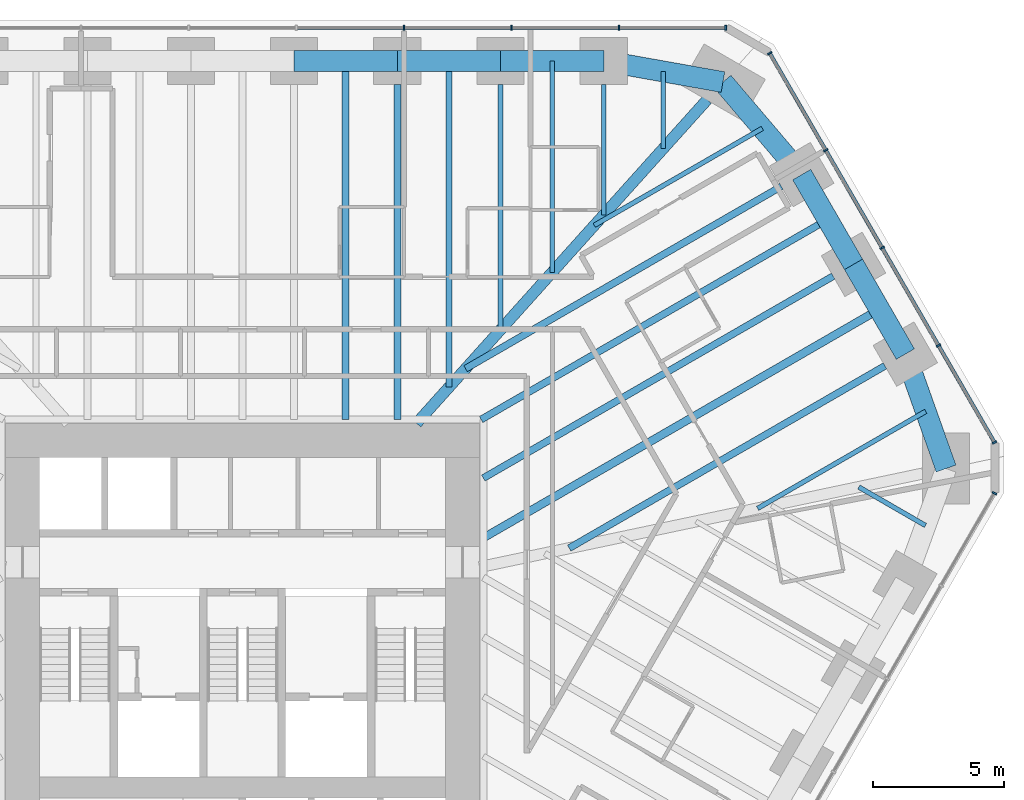
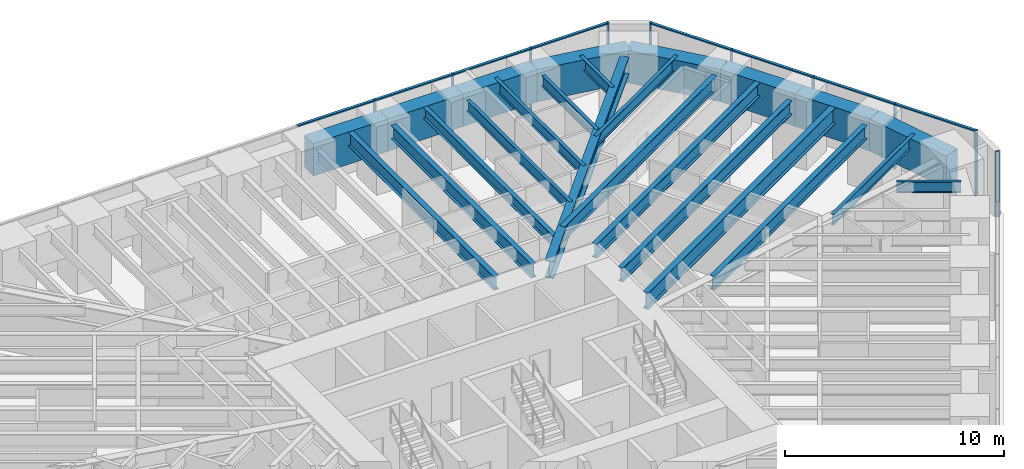
# One storey, part 9 of 17: 24 beams, 18 members, 3 elements without a shape of their own.
"""IFC4 building model written with IfcOpenShell, lengths in metres."""

from ifc_helpers import new_model, si_unit, direction, frame, origin, origin_2d, place, context, subcontext, project, spatial, rectangle, i_section, extrude, material, material_profile, profile_set, type_object, element, aggregate, save


model = new_model("IFC4")

# Units and contexts
model_context = context("Model", 3, precision=1e-05, world=origin(), true_north=direction((0.0, 1.0)))
body_context = subcontext(model_context, "Body", "Model", "MODEL_VIEW")
ifc_project = project(units=[si_unit("LENGTHUNIT", "METRE"), si_unit("AREAUNIT", "SQUARE_METRE"), si_unit("VOLUMEUNIT", "CUBIC_METRE"), si_unit("PLANEANGLEUNIT", "RADIAN"), si_unit("MASSUNIT", "GRAM", prefix="KILO")], contexts=[model_context])

# Site, building, storey
site_placement = place(None, origin())
site = spatial("IfcSite", under=ifc_project, at=site_placement, CompositionType="ELEMENT")
building_placement = place(site_placement, origin())
building = spatial("IfcBuilding", under=site, at=building_placement, Name="Sandreach Pilgrim Tower", CompositionType="ELEMENT")
storey_placement = place(building_placement, frame((0.0, 0.0, 112.0)))
storey = spatial("IfcBuildingStorey", under=building, at=storey_placement, Name="L27", CompositionType="ELEMENT", Elevation=112.0)

# Curtain wall, members
ifc_material_1 = material(Name="Aluminium framed curtain wall", Category="aluminium")
curtain_wall_type = type_object("IfcCurtainWallType", Name="Hotel tower curtain wall", PredefinedType="NOTDEFINED", material=ifc_material_1)
curtain_wall_1_placement = place(storey_placement, origin())
curtain_wall_1 = element("IfcCurtainWall", 1, at=curtain_wall_1_placement, inside=storey, type_object=curtain_wall_type, Name="CW-2 L27 N", PredefinedType="NOTDEFINED")
ifc_material_2 = material(Name="Aluminium extrusion", Category="aluminium")
ifc_material_profile_1 = material_profile(ifc_material_2, rectangle(XDim=0.06494140625, YDim=0.179931640625, at=origin_2d()), Name="CW-2M 65X180")
ifc_profile_set_1 = profile_set([ifc_material_profile_1], Name="Aluminium extrusion")
member_type_1 = type_object("IfcMemberType", Name="CW-2 mullion", PredefinedType="MULLION", material=ifc_profile_set_1)
member_1_placement = place(storey_placement, frame((6.160400390625, 22.493896484375, 0.0), z_axis=(0.0, 0.0, 1.0), x_axis=(1.0, 0.0, 0.0)))
member_1 = element("IfcMember", 2, at=member_1_placement, type_object=member_type_1, Name="CW-2 mullion 7", PredefinedType="MULLION", context=body_context, shape_type="SweptSolid", body=[
    extrude(rectangle(XDim=0.06494140625, YDim=0.179931640625, at=origin_2d()), origin(), (0.0, 0.0, 1.0), 3.639892578125),
])
member_2_placement = place(storey_placement, frame((10.267333984375, 22.493896484375, 0.0), z_axis=(0.0, 0.0, 1.0), x_axis=(1.0, 0.0, 0.0)))
member_2 = element("IfcMember", 3, at=member_2_placement, type_object=member_type_1, Name="CW-2 mullion 8", PredefinedType="MULLION", context=body_context, shape_type="SweptSolid", body=[
    extrude(rectangle(XDim=0.06494140625, YDim=0.179931640625, at=origin_2d()), origin(), (0.0, 0.0, 1.0), 3.639892578125),
])
member_3_placement = place(storey_placement, frame((14.37451171875, 22.493896484375, 0.0), z_axis=(0.0, 0.0, 1.0), x_axis=(1.0, 0.0, 0.0)))
member_3 = element("IfcMember", 4, at=member_3_placement, type_object=member_type_1, Name="CW-2 mullion 9", PredefinedType="MULLION", context=body_context, shape_type="SweptSolid", body=[
    extrude(rectangle(XDim=0.06494140625, YDim=0.179931640625, at=origin_2d()), origin(), (0.0, 0.0, 1.0), 3.639892578125),
])
member_4_placement = place(storey_placement, frame((18.448974609375, 22.493896484375, 0.0), z_axis=(0.0, 0.0, 1.0), x_axis=(1.0, 0.0, 0.0)))
member_4 = element("IfcMember", 5, at=member_4_placement, type_object=member_type_1, Name="CW-2 mullion 10", PredefinedType="MULLION", context=body_context, shape_type="SweptSolid", body=[
    extrude(rectangle(XDim=0.06494140625, YDim=0.179931640625, at=origin_2d()), origin(), (0.0, 0.0, 1.0), 3.639892578125),
])

curtain_wall_2_placement = place(storey_placement, origin())
curtain_wall_2 = element("IfcCurtainWall", 6, at=curtain_wall_2_placement, inside=storey, type_object=curtain_wall_type, Name="CW-2 L27 NE", PredefinedType="NOTDEFINED")
member_5_placement = place(storey_placement, frame((20.125732421875, 21.525634765625, 0.0), z_axis=(0.0, 0.0, 1.0), x_axis=(0.5, -0.866025403784, 0.0)))
member_5 = element("IfcMember", 7, at=member_5_placement, type_object=member_type_1, Name="CW-2 mullion 1", PredefinedType="MULLION", context=body_context, shape_type="SweptSolid", body=[
    extrude(rectangle(XDim=0.06494140625, YDim=0.179931640625, at=origin_2d()), origin(), (0.0, 0.0, 1.0), 3.639892578125),
])
member_6_placement = place(storey_placement, frame((22.262451171875, 17.824951171875, 0.0), z_axis=(0.0, 0.0, 1.0), x_axis=(0.5, -0.866025403784, 0.0)))
member_6 = element("IfcMember", 8, at=member_6_placement, type_object=member_type_1, Name="CW-2 mullion 2", PredefinedType="MULLION", context=body_context, shape_type="SweptSolid", body=[
    extrude(rectangle(XDim=0.06494140625, YDim=0.179931640625, at=origin_2d()), origin(), (0.0, 0.0, 1.0), 3.639892578125),
])
member_7_placement = place(storey_placement, frame((24.415283203125, 14.09619140625, 0.0), z_axis=(0.0, 0.0, 1.0), x_axis=(0.5, -0.866025403784, 0.0)))
member_7 = element("IfcMember", 9, at=member_7_placement, type_object=member_type_1, Name="CW-2 mullion 3", PredefinedType="MULLION", context=body_context, shape_type="SweptSolid", body=[
    extrude(rectangle(XDim=0.06494140625, YDim=0.179931640625, at=origin_2d()), origin(), (0.0, 0.0, 1.0), 3.639892578125),
])
member_8_placement = place(storey_placement, frame((26.568115234375, 10.3671875, 0.0), z_axis=(0.0, 0.0, 1.0), x_axis=(0.5, -0.866025403784, 0.0)))
member_8 = element("IfcMember", 10, at=member_8_placement, type_object=member_type_1, Name="CW-2 mullion 4", PredefinedType="MULLION", context=body_context, shape_type="SweptSolid", body=[
    extrude(rectangle(XDim=0.06494140625, YDim=0.179931640625, at=origin_2d()), origin(), (0.0, 0.0, 1.0), 3.639892578125),
])
member_9_placement = place(storey_placement, frame((28.70458984375, 6.66650390625, 0.0), z_axis=(0.0, 0.0, 1.0), x_axis=(0.5, -0.866025403784, 0.0)))
member_9 = element("IfcMember", 11, at=member_9_placement, type_object=member_type_1, Name="CW-2 mullion 5", PredefinedType="MULLION", context=body_context, shape_type="SweptSolid", body=[
    extrude(rectangle(XDim=0.06494140625, YDim=0.179931640625, at=origin_2d()), origin(), (0.0, 0.0, 1.0), 3.639892578125),
])

# Curtain wall, member
curtain_wall_3_placement = place(storey_placement, origin())
curtain_wall_3 = element("IfcCurtainWall", 12, at=curtain_wall_3_placement, inside=storey, type_object=curtain_wall_type, Name="CW-2 L27 SE", PredefinedType="NOTDEFINED")
member_10_placement = place(storey_placement, frame((28.70458984375, 4.730224609375, 0.0), z_axis=(0.0, 0.0, 1.0), x_axis=(-0.5, -0.866025403784, 0.0)))
member_10 = element("IfcMember", 13, at=member_10_placement, type_object=member_type_1, Name="CW-2 mullion 1", PredefinedType="MULLION", context=body_context, shape_type="SweptSolid", body=[
    extrude(rectangle(XDim=0.06494140625, YDim=0.179931640625, at=origin_2d()), origin(), (0.0, 0.0, 1.0), 3.639892578125),
])
aggregate(curtain_wall_3, [member_10])

# Member
ifc_material_3 = material(Name="Aluminium extrusion", Category="aluminium")
ifc_material_profile_2 = material_profile(ifc_material_3, rectangle(XDim=0.139892578125, YDim=0.070068359375, at=origin_2d()), Name="CW-2T 140X70")
ifc_profile_set_2 = profile_set([ifc_material_profile_2], Name="Aluminium extrusion")
member_type_2 = type_object("IfcMemberType", Name="CW-2 transom", PredefinedType="USERDEFINED", material=ifc_profile_set_2)
member_11_placement = place(storey_placement, frame((2.0859375, 22.493896484375, 3.60498046875), z_axis=(1.0, 0.0, 0.0), x_axis=(0.0, 1.0, 0.0)))
member_11 = element("IfcMember", 14, at=member_11_placement, type_object=member_type_2, Name="CW-2 head transom 6", ObjectType="TRANSOM", PredefinedType="USERDEFINED", context=body_context, shape_type="SweptSolid", body=[
    extrude(rectangle(XDim=0.139892578125, YDim=0.070068359375, at=origin_2d()), origin(), (0.0, 0.0, 1.0), 4.0419921875),
])

member_12_placement = place(storey_placement, frame((6.19287109375, 22.493896484375, 3.60498046875), z_axis=(1.0, 0.0, 0.0), x_axis=(0.0, 1.0, 0.0)))
member_12 = element("IfcMember", 15, at=member_12_placement, type_object=member_type_2, Name="CW-2 head transom 7", ObjectType="TRANSOM", PredefinedType="USERDEFINED", context=body_context, shape_type="SweptSolid", body=[
    extrude(rectangle(XDim=0.139892578125, YDim=0.070068359375, at=origin_2d()), origin(), (0.0, 0.0, 1.0), 4.0419921875),
])

member_13_placement = place(storey_placement, frame((10.300048828125, 22.493896484375, 3.60498046875), z_axis=(1.0, 0.0, 0.0), x_axis=(0.0, 1.0, 0.0)))
member_13 = element("IfcMember", 16, at=member_13_placement, type_object=member_type_2, Name="CW-2 head transom 8", ObjectType="TRANSOM", PredefinedType="USERDEFINED", context=body_context, shape_type="SweptSolid", body=[
    extrude(rectangle(XDim=0.139892578125, YDim=0.070068359375, at=origin_2d()), origin(), (0.0, 0.0, 1.0), 4.041748046875),
])

member_14_placement = place(storey_placement, frame((14.406982421875, 22.493896484375, 3.60498046875), z_axis=(1.0, 0.0, 0.0), x_axis=(0.0, 1.0, 0.0)))
member_14 = element("IfcMember", 17, at=member_14_placement, type_object=member_type_2, Name="CW-2 head transom 9", ObjectType="TRANSOM", PredefinedType="USERDEFINED", context=body_context, shape_type="SweptSolid", body=[
    extrude(rectangle(XDim=0.139892578125, YDim=0.070068359375, at=origin_2d()), origin(), (0.0, 0.0, 1.0), 4.00927734375),
])

aggregate(curtain_wall_1, [member_1, member_2, member_3, member_4, member_11, member_12, member_13, member_14])

member_15_placement = place(storey_placement, frame((20.14208984375, 21.49755859375, 3.60498046875), z_axis=(0.49997020258, -0.86604260665, 0.0), x_axis=(0.86604260665, 0.49997020258, 0.0)))
member_15 = element("IfcMember", 18, at=member_15_placement, type_object=member_type_2, Name="CW-2 head transom 1", ObjectType="TRANSOM", PredefinedType="USERDEFINED", context=body_context, shape_type="SweptSolid", body=[
    extrude(rectangle(XDim=0.139892578125, YDim=0.070068359375, at=origin_2d()), origin(), (0.0, 0.0, 1.0), 4.208251953125),
])

member_16_placement = place(storey_placement, frame((22.278564453125, 17.796875, 3.60498046875), z_axis=(0.499996541496, -0.866027400544, 0.0), x_axis=(0.866027400544, 0.499996541496, 0.0)))
member_16 = element("IfcMember", 19, at=member_16_placement, type_object=member_type_2, Name="CW-2 head transom 2", ObjectType="TRANSOM", PredefinedType="USERDEFINED", context=body_context, shape_type="SweptSolid", body=[
    extrude(rectangle(XDim=0.139892578125, YDim=0.070068359375, at=origin_2d()), origin(), (0.0, 0.0, 1.0), 4.24072265625),
])

member_17_placement = place(storey_placement, frame((24.431396484375, 14.06787109375, 3.60498046875), z_axis=(0.500021471012, -0.866013007135, 0.0), x_axis=(0.866013007135, 0.500021471012, 0.0)))
member_17 = element("IfcMember", 20, at=member_17_placement, type_object=member_type_2, Name="CW-2 head transom 3", ObjectType="TRANSOM", PredefinedType="USERDEFINED", context=body_context, shape_type="SweptSolid", body=[
    extrude(rectangle(XDim=0.139892578125, YDim=0.070068359375, at=origin_2d()), origin(), (0.0, 0.0, 1.0), 4.240478515625),
])

member_18_placement = place(storey_placement, frame((26.584228515625, 10.339111328125, 3.60498046875), z_axis=(0.500038835258, -0.866002981077, 0.0), x_axis=(0.866002981077, 0.500038835258, 0.0)))
member_18 = element("IfcMember", 21, at=member_18_placement, type_object=member_type_2, Name="CW-2 head transom 4", ObjectType="TRANSOM", PredefinedType="USERDEFINED", context=body_context, shape_type="SweptSolid", body=[
    extrude(rectangle(XDim=0.139892578125, YDim=0.070068359375, at=origin_2d()), origin(), (0.0, 0.0, 1.0), 4.208251953125),
])

aggregate(curtain_wall_2, [member_5, member_6, member_7, member_8, member_9, member_15, member_16, member_17, member_18])

# Beams
ifc_material_4 = material(Name="Steel ASTM A992 Grade 50", Category="steel")
ifc_material_profile_3 = material_profile(ifc_material_4, i_section(OverallWidth=0.424072265625, OverallDepth=0.965087890625, WebThickness=0.028564453125, FlangeThickness=0.051025390625, at=origin_2d()), Name="W36X361")
ifc_profile_set_3 = profile_set([ifc_material_profile_3], Name="Steel ASTM A992 Grade 50")
beam_type_1 = type_object("IfcBeamType", Name="Corner girder W36X361", PredefinedType="BEAM", material=ifc_profile_set_3)
beam_1_placement = place(storey_placement, frame((17.738037109375, 19.754150390625, 3.157470703125), z_axis=(-0.66811374471, -0.74405915365, 0.0), x_axis=(0.74405915365, -0.66811374471, 0.0)))
element("IfcBeam", 22, at=beam_1_placement, inside=storey, type_object=beam_type_1, Name="BM L27 CG09", PredefinedType="BEAM", context=body_context, shape_type="SweptSolid", body=[
    extrude(i_section(OverallWidth=0.424072265625, OverallDepth=0.965087890625, WebThickness=0.028564453125, FlangeThickness=0.051025390625, at=origin_2d()), origin(), (0.0, 0.0, 1.0), 16.603759765625),
])
ifc_material_5 = material(Name="Steel ASTM A992 Grade 50", Category="steel")
ifc_material_profile_4 = material_profile(ifc_material_5, i_section(OverallWidth=0.1787109375, OverallDepth=0.60205078125, WebThickness=0.010986328125, FlangeThickness=0.014892578125, at=origin_2d()), Name="W24X62")
ifc_profile_set_4 = profile_set([ifc_material_profile_4], Name="Steel ASTM A992 Grade 50")
beam_type_2 = type_object("IfcBeamType", Name="Floor beam W24X62", PredefinedType="BEAM", material=ifc_profile_set_4)
beam_2_placement = place(storey_placement, frame((9.849853515625, 20.333740234375, 3.339111328125), z_axis=(0.0, -1.0, 0.0), x_axis=(1.0, 0.0, 0.0)))
element("IfcBeam", 23, at=beam_2_placement, inside=storey, type_object=beam_type_2, Name="BM L27 F07", PredefinedType="BEAM", context=body_context, shape_type="SweptSolid", body=[
    extrude(i_section(OverallWidth=0.1787109375, OverallDepth=0.60205078125, WebThickness=0.010986328125, FlangeThickness=0.014892578125, at=origin_2d()), origin(), (0.0, 0.0, 1.0), 9.3642578125),
])
beam_3_placement = place(storey_placement, frame((13.789794921875, 20.333740234375, 3.339111328125), z_axis=(0.0, -1.0, 0.0), x_axis=(1.0, 0.0, 0.0)))
element("IfcBeam", 24, at=beam_3_placement, inside=storey, type_object=beam_type_2, Name="BM L27 F08", PredefinedType="BEAM", context=body_context, shape_type="SweptSolid", body=[
    extrude(i_section(OverallWidth=0.1787109375, OverallDepth=0.60205078125, WebThickness=0.010986328125, FlangeThickness=0.014892578125, at=origin_2d()), origin(), (0.0, 0.0, 1.0), 4.9765625),
])
beam_4_placement = place(storey_placement, frame((11.81982421875, 21.23388671875, 3.339111328125), z_axis=(0.0, -1.0, 0.0), x_axis=(1.0, 0.0, 0.0)))
element("IfcBeam", 25, at=beam_4_placement, inside=storey, type_object=beam_type_2, Name="BM L27 FM07", PredefinedType="BEAM", context=body_context, shape_type="SweptSolid", body=[
    extrude(i_section(OverallWidth=0.1787109375, OverallDepth=0.60205078125, WebThickness=0.010986328125, FlangeThickness=0.014892578125, at=origin_2d()), origin(), (0.0, 0.0, 1.0), 8.070556640625),
])
beam_5_placement = place(storey_placement, frame((16.064697265625, 20.828857421875, 3.339111328125), z_axis=(0.0, -1.0, 0.0), x_axis=(1.0, 0.0, 0.0)))
element("IfcBeam", 26, at=beam_5_placement, inside=storey, type_object=beam_type_2, Name="BM L27 FM08", PredefinedType="BEAM", context=body_context, shape_type="SweptSolid", body=[
    extrude(i_section(OverallWidth=0.1787109375, OverallDepth=0.60205078125, WebThickness=0.010986328125, FlangeThickness=0.014892578125, at=origin_2d()), origin(), (0.0, 0.0, 1.0), 2.938232421875),
])
for number, where, z_axis, x_axis, name in (
    (27, (19.8427734375, 18.65771484375, 3.339111328125), (-0.866025875064, -0.499999183719, 0.0), (0.499999183719, -0.866025875064, 0.0), "BM L27 FM09"),
    (28, (26.079345703125, 7.855712890625, 3.339111328125), (-0.866025875064, -0.499999183719, 0.0), (0.499999183719, -0.866025875064, 0.0), "BM L27 FM12"),
):
    element("IfcBeam", number, at=place(storey_placement, frame(where, z_axis=z_axis, x_axis=x_axis)), inside=storey, type_object=beam_type_2, Name=name, PredefinedType="BEAM", context=body_context, shape_type="SweptSolid", body=[
        extrude(i_section(OverallWidth=0.1787109375, OverallDepth=0.60205078125, WebThickness=0.010986328125, FlangeThickness=0.014892578125, at=origin_2d()), origin(), (0.0, 0.0, 1.0), 7.40771484375),
    ])
beam_6_placement = place(storey_placement, frame((26.070556640625, 3.498046875, 3.339111328125), z_axis=(-0.866051374412, 0.499955014855, 0.0), x_axis=(-0.499955014855, -0.866051374412, 0.0)))
element("IfcBeam", 29, at=beam_6_placement, inside=storey, type_object=beam_type_2, Name="BM L27 FM13", PredefinedType="BEAM", context=body_context, shape_type="SweptSolid", body=[
    extrude(i_section(OverallWidth=0.1787109375, OverallDepth=0.60205078125, WebThickness=0.010986328125, FlangeThickness=0.014892578125, at=origin_2d()), origin(), (0.0, 0.0, 1.0), 2.938232421875),
])
ifc_material_6 = material(Name="Steel ASTM A992 Grade 50", Category="steel")
ifc_material_profile_5 = material_profile(ifc_material_6, i_section(OverallWidth=0.23046875, OverallDepth=0.6171875, WebThickness=0.01318359375, FlangeThickness=0.022216796875, at=origin_2d()), Name="W24X94")
ifc_profile_set_5 = profile_set([ifc_material_profile_5], Name="Steel ASTM A992 Grade 50")
beam_type_3 = type_object("IfcBeamType", Name="Floor beam W24X94", PredefinedType="BEAM", material=ifc_profile_set_5)
beam_7_placement = place(storey_placement, frame((7.8798828125, 21.23388671875, 3.331298828125), z_axis=(0.0, -1.0, 0.0), x_axis=(1.0, 0.0, 0.0)))
element("IfcBeam", 30, at=beam_7_placement, inside=storey, type_object=beam_type_3, Name="BM L27 FM06", PredefinedType="BEAM", context=body_context, shape_type="SweptSolid", body=[
    extrude(i_section(OverallWidth=0.23046875, OverallDepth=0.6171875, WebThickness=0.01318359375, FlangeThickness=0.022216796875, at=origin_2d()), origin(), (0.0, 0.0, 1.0), 12.458251953125),
])
ifc_material_7 = material(Name="Steel ASTM A992 Grade 50", Category="steel")
ifc_material_profile_6 = material_profile(ifc_material_7, i_section(OverallWidth=0.2666015625, OverallDepth=0.761962890625, WebThickness=0.014404296875, FlangeThickness=0.021484375, at=origin_2d()), Name="W30X116")
ifc_profile_set_6 = profile_set([ifc_material_profile_6], Name="Steel ASTM A992 Grade 50")
beam_type_4 = type_object("IfcBeamType", Name="Floor beam W30X116", PredefinedType="BEAM", material=ifc_profile_set_6)
beam_8_placement = place(storey_placement, frame((5.909912109375, 20.333740234375, 3.259033203125), z_axis=(0.0, -1.0, 0.0), x_axis=(1.0, 0.0, 0.0)))
element("IfcBeam", 31, at=beam_8_placement, inside=storey, type_object=beam_type_4, Name="BM L27 F06", PredefinedType="BEAM", context=body_context, shape_type="SweptSolid", body=[
    extrude(i_section(OverallWidth=0.2666015625, OverallDepth=0.761962890625, WebThickness=0.014404296875, FlangeThickness=0.021484375, at=origin_2d()), origin(), (0.0, 0.0, 1.0), 12.790283203125),
])
beam_9_placement = place(storey_placement, frame((20.56689453125, 16.44140625, 3.259033203125), z_axis=(-0.866022263426, -0.500005439221, 0.0), x_axis=(0.500005439221, -0.866022263426, 0.0)))
element("IfcBeam", 32, at=beam_9_placement, inside=storey, type_object=beam_type_4, Name="BM L27 F10", PredefinedType="BEAM", context=body_context, shape_type="SweptSolid", body=[
    extrude(i_section(OverallWidth=0.2666015625, OverallDepth=0.761962890625, WebThickness=0.014404296875, FlangeThickness=0.021484375, at=origin_2d()), origin(), (0.0, 0.0, 1.0), 13.915283203125),
])
beam_10_placement = place(storey_placement, frame((24.522216796875, 9.5908203125, 3.259033203125), z_axis=(-0.866026649588, -0.499997842199, 0.0), x_axis=(0.499997842199, -0.866026649588, 0.0)))
element("IfcBeam", 33, at=beam_10_placement, inside=storey, type_object=beam_type_4, Name="BM L27 F12", PredefinedType="BEAM", context=body_context, shape_type="SweptSolid", body=[
    extrude(i_section(OverallWidth=0.2666015625, OverallDepth=0.761962890625, WebThickness=0.014404296875, FlangeThickness=0.021484375, at=origin_2d()), origin(), (0.0, 0.0, 1.0), 13.91552734375),
])
beam_11_placement = place(storey_placement, frame((3.93994140625, 21.23388671875, 3.259033203125), z_axis=(0.0, -1.0, 0.0), x_axis=(1.0, 0.0, 0.0)))
element("IfcBeam", 34, at=beam_11_placement, inside=storey, type_object=beam_type_4, Name="BM L27 FM05", PredefinedType="BEAM", context=body_context, shape_type="SweptSolid", body=[
    extrude(i_section(OverallWidth=0.2666015625, OverallDepth=0.761962890625, WebThickness=0.014404296875, FlangeThickness=0.021484375, at=origin_2d()), origin(), (0.0, 0.0, 1.0), 13.6904296875),
])
ifc_material_8 = material(Name="Steel ASTM A992 Grade 50", Category="steel")
ifc_material_profile_7 = material_profile(ifc_material_8, i_section(OverallWidth=0.2666015625, OverallDepth=0.77978515625, WebThickness=0.0166015625, FlangeThickness=0.030029296875, at=origin_2d()), Name="W30X148")
ifc_profile_set_7 = profile_set([ifc_material_profile_7], Name="Steel ASTM A992 Grade 50")
beam_type_5 = type_object("IfcBeamType", Name="Floor beam W30X148", PredefinedType="BEAM", material=ifc_profile_set_7)
beam_12_placement = place(storey_placement, frame((22.544677734375, 13.01611328125, 3.25), z_axis=(-0.866029203842, -0.49999341805, 0.0), x_axis=(0.49999341805, -0.866029203842, 0.0)))
element("IfcBeam", 35, at=beam_12_placement, inside=storey, type_object=beam_type_5, Name="BM L27 F11", PredefinedType="BEAM", context=body_context, shape_type="SweptSolid", body=[
    extrude(i_section(OverallWidth=0.2666015625, OverallDepth=0.77978515625, WebThickness=0.0166015625, FlangeThickness=0.030029296875, at=origin_2d()), origin(), (0.0, 0.0, 1.0), 15.416748046875),
])
beam_13_placement = place(storey_placement, frame((22.335205078125, 15.1787109375, 3.25), z_axis=(-0.866028773314, -0.499994163758, 0.0), x_axis=(0.499994163758, -0.866028773314, 0.0)))
element("IfcBeam", 36, at=beam_13_placement, inside=storey, type_object=beam_type_5, Name="BM L27 FM10", PredefinedType="BEAM", context=body_context, shape_type="SweptSolid", body=[
    extrude(i_section(OverallWidth=0.2666015625, OverallDepth=0.77978515625, WebThickness=0.0166015625, FlangeThickness=0.030029296875, at=origin_2d()), origin(), (0.0, 0.0, 1.0), 15.270751953125),
])
ifc_material_9 = material(Name="Steel ASTM A992 Grade 50", Category="steel")
ifc_material_profile_8 = material_profile(ifc_material_9, i_section(OverallWidth=0.3046875, OverallDepth=0.914306640625, WebThickness=0.0166015625, FlangeThickness=0.02587890625, at=origin_2d()), Name="W36X160")
ifc_profile_set_8 = profile_set([ifc_material_profile_8], Name="Steel ASTM A992 Grade 50")
beam_type_6 = type_object("IfcBeamType", Name="Floor beam W36X160", PredefinedType="BEAM", material=ifc_profile_set_8)
beam_14_placement = place(storey_placement, frame((24.312744140625, 11.75341796875, 3.182861328125), z_axis=(-0.866023737483, -0.500002886107, 0.0), x_axis=(0.500002886107, -0.866023737483, 0.0)))
element("IfcBeam", 37, at=beam_14_placement, inside=storey, type_object=beam_type_6, Name="BM L27 FM11", PredefinedType="BEAM", context=body_context, shape_type="SweptSolid", body=[
    extrude(i_section(OverallWidth=0.3046875, OverallDepth=0.914306640625, WebThickness=0.0166015625, FlangeThickness=0.02587890625, at=origin_2d()), origin(), (0.0, 0.0, 1.0), 17.45849609375),
])
ifc_material_10 = material(Name="Concrete 10000 psi", Category="concrete")
ifc_material_profile_9 = material_profile(ifc_material_10, rectangle(XDim=0.800048828125, YDim=1.800048828125, at=origin_2d()), Name="RC800X1800")
ifc_profile_set_9 = profile_set([ifc_material_profile_9], Name="Concrete 10000 psi")
beam_type_7 = type_object("IfcBeamType", Name="Spandrel beam RC800X1800", PredefinedType="SPANDREL", material=ifc_profile_set_9)
for number, where, z_axis, x_axis, name in (
    (38, (1.969970703125, 21.23388671875, 2.739990234375), (1.0, 0.0, 0.0), (0.0, 1.0, 0.0), "BM L27 SP05"),
    (39, (5.909912109375, 21.23388671875, 2.739990234375), (1.0, 0.0, 0.0), (0.0, 1.0, 0.0), "BM L27 SP06"),
    (40, (9.849853515625, 21.23388671875, 2.739990234375), (1.0, 0.0, 0.0), (0.0, 1.0, 0.0), "BM L27 SP07"),
):
    element("IfcBeam", number, at=place(storey_placement, frame(where, z_axis=z_axis, x_axis=x_axis)), inside=storey, type_object=beam_type_7, Name=name, PredefinedType="SPANDREL", context=body_context, shape_type="SweptSolid", body=[
        extrude(rectangle(XDim=0.800048828125, YDim=1.800048828125, at=origin_2d()), origin(), (0.0, 0.0, 1.0), 3.93994140625),
    ])
beam_15_placement = place(storey_placement, frame((13.789794921875, 21.23388671875, 2.739990234375), z_axis=(0.984515938739, -0.175295083699, 0.0), x_axis=(0.175295083699, 0.984515938739, 0.0)))
element("IfcBeam", 41, at=beam_15_placement, inside=storey, type_object=beam_type_7, Name="BM L27 SP08", PredefinedType="SPANDREL", context=body_context, shape_type="SweptSolid", body=[
    extrude(rectangle(XDim=0.800048828125, YDim=1.800048828125, at=origin_2d()), origin(), (0.0, 0.0, 1.0), 4.62109375),
])
beam_16_placement = place(storey_placement, frame((18.33935546875, 20.423828125, 2.739990234375), z_axis=(0.648208888384, -0.761462564425, 0.0), x_axis=(0.761462564425, 0.648208888384, 0.0)))
element("IfcBeam", 42, at=beam_16_placement, inside=storey, type_object=beam_type_7, Name="BM L27 SP09", PredefinedType="SPANDREL", context=body_context, shape_type="SweptSolid", body=[
    extrude(rectangle(XDim=0.800048828125, YDim=1.800048828125, at=origin_2d()), origin(), (0.0, 0.0, 1.0), 4.63916015625),
])
for number, where, z_axis, x_axis, name in (
    (43, (21.346435546875, 16.891357421875, 2.739990234375), (0.499989616998, -0.866031398331, 0.0), (0.866031398331, 0.499989616998, 0.0), "BM L27 SP10"),
    (44, (23.323974609375, 13.466064453125, 2.739990234375), (0.499989616998, -0.866031398331, 0.0), (0.866031398331, 0.499989616998, 0.0), "BM L27 SP11"),
):
    element("IfcBeam", number, at=place(storey_placement, frame(where, z_axis=z_axis, x_axis=x_axis)), inside=storey, type_object=beam_type_7, Name=name, PredefinedType="SPANDREL", context=body_context, shape_type="SweptSolid", body=[
        extrude(rectangle(XDim=0.800048828125, YDim=1.800048828125, at=origin_2d()), origin(), (0.0, 0.0, 1.0), 3.955078125),
    ])
beam_17_placement = place(storey_placement, frame((25.301513671875, 10.040771484375, 2.739990234375), z_axis=(0.335346041399, -0.942095023083, 0.0), x_axis=(0.942095023083, 0.335346041399, 0.0)))
element("IfcBeam", 45, at=beam_17_placement, inside=storey, type_object=beam_type_7, Name="BM L27 SP12", PredefinedType="SPANDREL", context=body_context, shape_type="SweptSolid", body=[
    extrude(rectangle(XDim=0.800048828125, YDim=1.800048828125, at=origin_2d()), origin(), (0.0, 0.0, 1.0), 4.638916015625),
])

save(model, "model.ifc")
